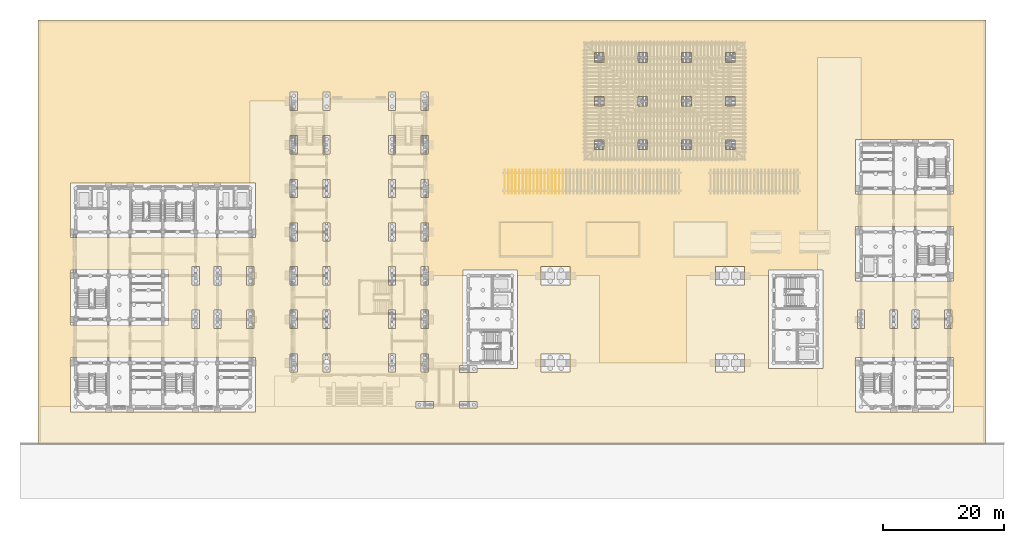
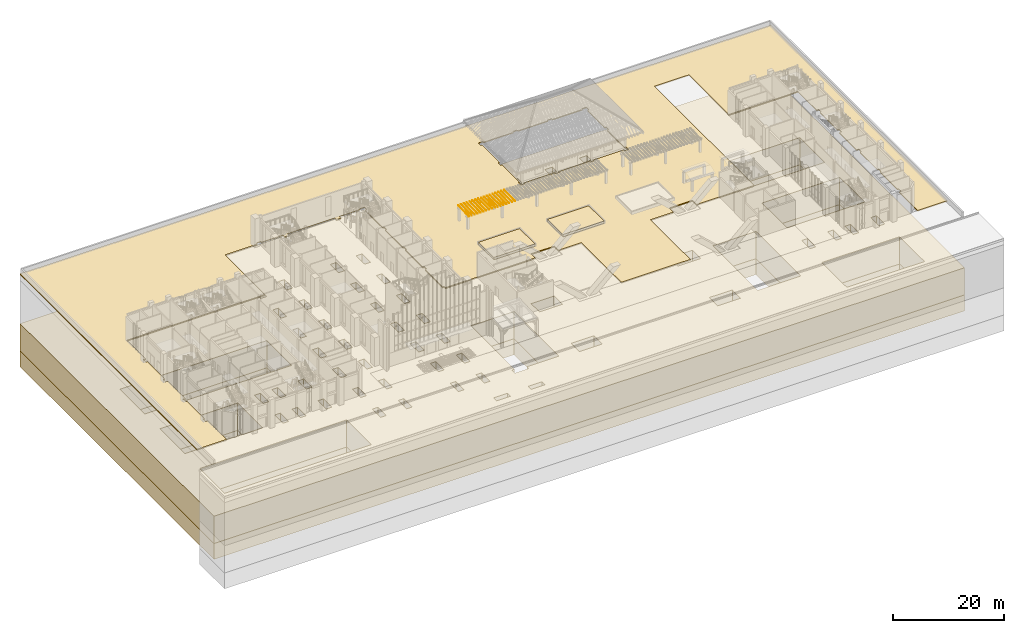
# One storey, part 76 of 84: 22 coverings.
"""IFC4 building model written with IfcOpenShell, lengths in metres."""

from ifc_helpers import new_model, si_unit, direction, frame, origin, origin_2d, place, context, subcontext, project, spatial, polyline, rectangle, outline, extrude, material, layer, layer_set, type_object, element, save


model = new_model("IFC4")

# Units and contexts
model_context = context("Model", 3, precision=1e-05, world=origin(), true_north=direction((0.0, 1.0)))
body_context = subcontext(model_context, "Body", "Model", "MODEL_VIEW")
ifc_project = project(units=[si_unit("LENGTHUNIT", "METRE"), si_unit("AREAUNIT", "SQUARE_METRE"), si_unit("VOLUMEUNIT", "CUBIC_METRE"), si_unit("PLANEANGLEUNIT", "RADIAN"), si_unit("MASSUNIT", "GRAM", prefix="KILO")], contexts=[model_context])

# Site, building, storey
site_placement = place(None, origin())
site = spatial("IfcSite", under=ifc_project, at=site_placement, CompositionType="ELEMENT")
building_placement = place(site_placement, origin())
building = spatial("IfcBuilding", under=site, at=building_placement, Name="Mazhai Court Health Centre", CompositionType="ELEMENT")
storey_placement = place(building_placement, origin())
storey = spatial("IfcBuildingStorey", under=building, at=storey_placement, Name="L00", CompositionType="ELEMENT", Elevation=0.0)

# Coverings
ifc_material_1 = material(Name="Planting bed soil and shrubs")
ifc_layer_1 = layer(ifc_material_1, 0.5)
ifc_layer_set_1 = layer_set([ifc_layer_1], Name="PLANTING BED SOIL 500")
covering_type_1 = type_object("IfcCoveringType", Name="PLANTING BED SOIL 500", PredefinedType="FLOORING", material=ifc_layer_set_1)
covering_1_placement = place(storey_placement, origin())
element("IfcCovering", 1, at=covering_1_placement, inside=storey, type_object=covering_type_1, Name="Planting bed 1", PredefinedType="FLOORING", context=body_context, shape_type="SweptSolid", body=[
    extrude(outline(polyline([(76.215087890625, 31.014892578125), (84.784912109375, 31.014892578125), (84.784912109375, 36.5849609375), (76.215087890625, 36.5849609375), (76.215087890625, 31.014892578125)])), origin(), (0.0, 0.0, 1.0), 0.5),
])
covering_2_placement = place(storey_placement, origin())
element("IfcCovering", 2, at=covering_2_placement, inside=storey, type_object=covering_type_1, Name="Planting bed 2", PredefinedType="FLOORING", context=body_context, shape_type="SweptSolid", body=[
    extrude(outline(polyline([(90.614990234375, 31.014892578125), (99.18505859375, 31.014892578125), (99.18505859375, 36.5849609375), (90.614990234375, 36.5849609375), (90.614990234375, 31.014892578125)])), origin(), (0.0, 0.0, 1.0), 0.5),
])
ifc_material_2 = material(Name="Dense sand")
ifc_layer_2 = layer(ifc_material_2, 3.5)
ifc_layer_set_2 = layer_set([ifc_layer_2], Name="SITE GROUND DENSE SAND")
covering_type_2 = type_object("IfcCoveringType", Name="SITE GROUND DENSE SAND", PredefinedType="FLOORING", material=ifc_layer_set_2)
covering_3_placement = place(storey_placement, frame((0.0, 0.0, -20.5)))
element("IfcCovering", 3, at=covering_3_placement, inside=storey, type_object=covering_type_2, Name="Site dense sand 1", PredefinedType="FLOORING", context=body_context, shape_type="SweptSolid", body=[
    extrude(outline(polyline([(156.39990234375, 70.0), (156.39990234375, 0.0), (0.0, 0.0), (0.0, 70.0), (156.39990234375, 70.0)]), holes=[polyline([(5.300048828125, 5.300048828125), (35.89990234375, 5.300048828125), (35.89990234375, 14.300048828125), (5.300048828125, 14.300048828125), (5.300048828125, 5.300048828125)]), polyline([(29.0, 22.10009765625), (29.0, 19.10009765625), (30.199951171875, 19.10009765625), (30.199951171875, 22.10009765625), (29.0, 22.10009765625)]), polyline([(25.39990234375, 22.10009765625), (25.39990234375, 19.10009765625), (26.60009765625, 19.10009765625), (26.60009765625, 22.10009765625), (25.39990234375, 22.10009765625)]), polyline([(5.300048828125, 28.699951171875), (5.300048828125, 19.699951171875), (21.5, 19.699951171875), (21.5, 28.699951171875), (5.300048828125, 28.699951171875)]), polyline([(29.0, 29.300048828125), (29.0, 26.300048828125), (30.199951171875, 26.300048828125), (30.199951171875, 29.300048828125), (29.0, 29.300048828125)]), polyline([(25.39990234375, 26.300048828125), (26.60009765625, 26.300048828125), (26.60009765625, 29.300048828125), (25.39990234375, 29.300048828125), (25.39990234375, 26.300048828125)]), polyline([(5.300048828125, 34.10009765625), (35.89990234375, 34.10009765625), (35.89990234375, 43.10009765625), (5.300048828125, 43.10009765625), (5.300048828125, 34.10009765625)]), polyline([(57.800048828125, 14.89990234375), (57.800048828125, 11.89990234375), (59.0, 11.89990234375), (59.0, 14.89990234375), (57.800048828125, 14.89990234375)]), polyline([(47.0, 11.89990234375), (48.199951171875, 11.89990234375), (48.199951171875, 14.89990234375), (47.0, 14.89990234375), (47.0, 11.89990234375)]), polyline([(41.60009765625, 14.89990234375), (41.60009765625, 11.89990234375), (42.800048828125, 11.89990234375), (42.800048828125, 14.89990234375), (41.60009765625, 14.89990234375)]), polyline([(34.39990234375, 22.10009765625), (34.39990234375, 19.10009765625), (35.60009765625, 19.10009765625), (35.60009765625, 22.10009765625), (34.39990234375, 22.10009765625)]), polyline([(57.800048828125, 19.10009765625), (59.0, 19.10009765625), (59.0, 22.10009765625), (57.800048828125, 22.10009765625), (57.800048828125, 19.10009765625)]), polyline([(47.0, 22.10009765625), (47.0, 19.10009765625), (48.199951171875, 19.10009765625), (48.199951171875, 22.10009765625), (47.0, 22.10009765625)]), polyline([(41.60009765625, 22.10009765625), (41.60009765625, 19.10009765625), (42.800048828125, 19.10009765625), (42.800048828125, 22.10009765625), (41.60009765625, 22.10009765625)]), polyline([(41.60009765625, 29.300048828125), (41.60009765625, 26.300048828125), (42.800048828125, 26.300048828125), (42.800048828125, 29.300048828125), (41.60009765625, 29.300048828125)]), polyline([(47.0, 29.300048828125), (47.0, 26.300048828125), (48.199951171875, 26.300048828125), (48.199951171875, 29.300048828125), (47.0, 29.300048828125)]), polyline([(34.39990234375, 29.300048828125), (34.39990234375, 26.300048828125), (35.60009765625, 26.300048828125), (35.60009765625, 29.300048828125), (34.39990234375, 29.300048828125)]), polyline([(57.800048828125, 29.300048828125), (57.800048828125, 26.300048828125), (59.0, 26.300048828125), (59.0, 29.300048828125), (57.800048828125, 29.300048828125)]), polyline([(41.60009765625, 33.5), (42.800048828125, 33.5), (42.800048828125, 36.5), (41.60009765625, 36.5), (41.60009765625, 33.5)]), polyline([(47.0, 33.5), (48.199951171875, 33.5), (48.199951171875, 36.5), (47.0, 36.5), (47.0, 33.5)]), polyline([(57.800048828125, 36.5), (57.800048828125, 33.5), (59.0, 33.5), (59.0, 36.5), (57.800048828125, 36.5)]), polyline([(41.60009765625, 43.699951171875), (41.60009765625, 40.699951171875), (42.800048828125, 40.699951171875), (42.800048828125, 43.699951171875), (41.60009765625, 43.699951171875)]), polyline([(47.0, 40.699951171875), (48.199951171875, 40.699951171875), (48.199951171875, 43.699951171875), (47.0, 43.699951171875), (47.0, 40.699951171875)]), polyline([(57.800048828125, 43.699951171875), (57.800048828125, 40.699951171875), (59.0, 40.699951171875), (59.0, 43.699951171875), (57.800048828125, 43.699951171875)]), polyline([(41.60009765625, 50.89990234375), (41.60009765625, 47.89990234375), (42.800048828125, 47.89990234375), (42.800048828125, 50.89990234375), (41.60009765625, 50.89990234375)]), polyline([(57.800048828125, 50.89990234375), (57.800048828125, 47.89990234375), (59.0, 47.89990234375), (59.0, 50.89990234375), (57.800048828125, 50.89990234375)]), polyline([(47.0, 50.89990234375), (47.0, 47.89990234375), (48.199951171875, 47.89990234375), (48.199951171875, 50.89990234375), (47.0, 50.89990234375)]), polyline([(57.800048828125, 58.10009765625), (57.800048828125, 55.10009765625), (59.0, 55.10009765625), (59.0, 58.10009765625), (57.800048828125, 58.10009765625)]), polyline([(47.0, 58.10009765625), (47.0, 55.10009765625), (48.199951171875, 55.10009765625), (48.199951171875, 58.10009765625), (47.0, 58.10009765625)]), polyline([(41.60009765625, 55.10009765625), (42.800048828125, 55.10009765625), (42.800048828125, 58.10009765625), (41.60009765625, 58.10009765625), (41.60009765625, 55.10009765625)]), polyline([(62.35009765625, 7.050048828125), (62.35009765625, 5.949951171875), (65.25, 5.949951171875), (65.25, 7.050048828125), (62.35009765625, 7.050048828125)]), polyline([(69.550048828125, 7.050048828125), (69.550048828125, 5.949951171875), (72.449951171875, 5.949951171875), (72.449951171875, 7.050048828125), (69.550048828125, 7.050048828125)]), polyline([(79.10009765625, 28.699951171875), (70.10009765625, 28.699951171875), (70.10009765625, 12.949951171875), (69.550048828125, 12.949951171875), (69.550048828125, 11.85009765625), (72.449951171875, 11.85009765625), (72.449951171875, 12.5), (79.10009765625, 12.5), (79.10009765625, 28.699951171875)]), polyline([(63.199951171875, 14.89990234375), (63.199951171875, 11.89990234375), (64.39990234375, 11.89990234375), (64.39990234375, 14.89990234375), (63.199951171875, 14.89990234375)]), polyline([(111.800048828125, 14.89990234375), (111.800048828125, 11.89990234375), (116.60009765625, 11.89990234375), (116.60009765625, 14.89990234375), (111.800048828125, 14.89990234375)]), polyline([(83.0, 11.89990234375), (87.800048828125, 11.89990234375), (87.800048828125, 14.89990234375), (83.0, 14.89990234375), (83.0, 11.89990234375)]), polyline([(63.199951171875, 22.10009765625), (63.199951171875, 19.10009765625), (64.39990234375, 19.10009765625), (64.39990234375, 22.10009765625), (63.199951171875, 22.10009765625)]), polyline([(63.199951171875, 29.300048828125), (63.199951171875, 26.300048828125), (64.39990234375, 26.300048828125), (64.39990234375, 29.300048828125), (63.199951171875, 29.300048828125)]), polyline([(111.800048828125, 29.300048828125), (111.800048828125, 26.300048828125), (116.60009765625, 26.300048828125), (116.60009765625, 29.300048828125), (111.800048828125, 29.300048828125)]), polyline([(83.0, 29.300048828125), (83.0, 26.300048828125), (87.800048828125, 26.300048828125), (87.800048828125, 29.300048828125), (83.0, 29.300048828125)]), polyline([(63.199951171875, 36.5), (63.199951171875, 33.5), (64.39990234375, 33.5), (64.39990234375, 36.5), (63.199951171875, 36.5)]), polyline([(63.199951171875, 40.699951171875), (64.39990234375, 40.699951171875), (64.39990234375, 43.699951171875), (63.199951171875, 43.699951171875), (63.199951171875, 40.699951171875)]), polyline([(91.800048828125, 50.199951171875), (91.800048828125, 48.60009765625), (93.39990234375, 48.60009765625), (93.39990234375, 50.199951171875), (91.800048828125, 50.199951171875)]), polyline([(99.0, 50.199951171875), (99.0, 48.60009765625), (100.60009765625, 48.60009765625), (100.60009765625, 50.199951171875), (99.0, 50.199951171875)]), polyline([(106.199951171875, 48.60009765625), (107.800048828125, 48.60009765625), (107.800048828125, 50.199951171875), (106.199951171875, 50.199951171875), (106.199951171875, 48.60009765625)]), polyline([(113.39990234375, 50.199951171875), (113.39990234375, 48.60009765625), (115.0, 48.60009765625), (115.0, 50.199951171875), (113.39990234375, 50.199951171875)]), polyline([(63.199951171875, 50.89990234375), (63.199951171875, 47.89990234375), (64.39990234375, 47.89990234375), (64.39990234375, 50.89990234375), (63.199951171875, 50.89990234375)]), polyline([(91.800048828125, 55.800048828125), (93.39990234375, 55.800048828125), (93.39990234375, 57.39990234375), (91.800048828125, 57.39990234375), (91.800048828125, 55.800048828125)]), polyline([(99.0, 57.39990234375), (99.0, 55.800048828125), (100.60009765625, 55.800048828125), (100.60009765625, 57.39990234375), (99.0, 57.39990234375)]), polyline([(106.199951171875, 57.39990234375), (106.199951171875, 55.800048828125), (107.800048828125, 55.800048828125), (107.800048828125, 57.39990234375), (106.199951171875, 57.39990234375)]), polyline([(113.39990234375, 57.39990234375), (113.39990234375, 55.800048828125), (115.0, 55.800048828125), (115.0, 57.39990234375), (113.39990234375, 57.39990234375)]), polyline([(63.199951171875, 58.10009765625), (63.199951171875, 55.10009765625), (64.39990234375, 55.10009765625), (64.39990234375, 58.10009765625), (63.199951171875, 58.10009765625)]), polyline([(91.800048828125, 64.60009765625), (91.800048828125, 63.0), (93.39990234375, 63.0), (93.39990234375, 64.60009765625), (91.800048828125, 64.60009765625)]), polyline([(99.0, 64.60009765625), (99.0, 63.0), (100.60009765625, 63.0), (100.60009765625, 64.60009765625), (99.0, 64.60009765625)]), polyline([(106.199951171875, 63.0), (107.800048828125, 63.0), (107.800048828125, 64.60009765625), (106.199951171875, 64.60009765625), (106.199951171875, 63.0)]), polyline([(134.89990234375, 14.300048828125), (134.89990234375, 5.300048828125), (151.10009765625, 5.300048828125), (151.10009765625, 14.300048828125), (134.89990234375, 14.300048828125)]), polyline([(129.5, 12.5), (129.5, 28.699951171875), (120.5, 28.699951171875), (120.5, 12.5), (129.5, 12.5)]), polyline([(135.199951171875, 22.10009765625), (135.199951171875, 19.10009765625), (136.39990234375, 19.10009765625), (136.39990234375, 22.10009765625), (135.199951171875, 22.10009765625)]), polyline([(149.60009765625, 22.10009765625), (149.60009765625, 19.10009765625), (150.800048828125, 19.10009765625), (150.800048828125, 22.10009765625), (149.60009765625, 22.10009765625)]), polyline([(140.60009765625, 22.10009765625), (140.60009765625, 19.10009765625), (141.800048828125, 19.10009765625), (141.800048828125, 22.10009765625), (140.60009765625, 22.10009765625)]), polyline([(144.199951171875, 22.10009765625), (144.199951171875, 19.10009765625), (145.39990234375, 19.10009765625), (145.39990234375, 22.10009765625), (144.199951171875, 22.10009765625)]), polyline([(134.89990234375, 35.89990234375), (134.89990234375, 26.89990234375), (151.10009765625, 26.89990234375), (151.10009765625, 35.89990234375), (134.89990234375, 35.89990234375)]), polyline([(134.89990234375, 50.300048828125), (134.89990234375, 41.300048828125), (151.10009765625, 41.300048828125), (151.10009765625, 50.300048828125), (134.89990234375, 50.300048828125)]), polyline([(113.39990234375, 64.60009765625), (113.39990234375, 63.0), (115.0, 63.0), (115.0, 64.60009765625), (113.39990234375, 64.60009765625)])]), origin(), (0.0, 0.0, 1.0), 3.5),
])
ifc_material_3 = material(Name="Medium dense sand")
ifc_layer_3 = layer(ifc_material_3, 6.0)
ifc_layer_set_3 = layer_set([ifc_layer_3], Name="SITE GROUND MEDIUM DENSE SAND")
covering_type_3 = type_object("IfcCoveringType", Name="SITE GROUND MEDIUM DENSE SAND", PredefinedType="FLOORING", material=ifc_layer_set_3)
covering_4_placement = place(storey_placement, frame((0.0, 0.0, -17.0)))
element("IfcCovering", 4, at=covering_4_placement, inside=storey, type_object=covering_type_3, Name="Site medium dense sand 1", PredefinedType="FLOORING", context=body_context, shape_type="SweptSolid", body=[
    extrude(outline(polyline([(156.39990234375, 70.0), (156.39990234375, 0.0), (0.0, 0.0), (0.0, 70.0), (156.39990234375, 70.0)]), holes=[polyline([(5.300048828125, 5.300048828125), (35.89990234375, 5.300048828125), (35.89990234375, 14.300048828125), (5.300048828125, 14.300048828125), (5.300048828125, 5.300048828125)]), polyline([(29.0, 22.10009765625), (29.0, 19.10009765625), (30.199951171875, 19.10009765625), (30.199951171875, 22.10009765625), (29.0, 22.10009765625)]), polyline([(25.39990234375, 22.10009765625), (25.39990234375, 19.10009765625), (26.60009765625, 19.10009765625), (26.60009765625, 22.10009765625), (25.39990234375, 22.10009765625)]), polyline([(5.300048828125, 28.699951171875), (5.300048828125, 19.699951171875), (21.5, 19.699951171875), (21.5, 28.699951171875), (5.300048828125, 28.699951171875)]), polyline([(29.0, 29.300048828125), (29.0, 26.300048828125), (30.199951171875, 26.300048828125), (30.199951171875, 29.300048828125), (29.0, 29.300048828125)]), polyline([(25.39990234375, 26.300048828125), (26.60009765625, 26.300048828125), (26.60009765625, 29.300048828125), (25.39990234375, 29.300048828125), (25.39990234375, 26.300048828125)]), polyline([(5.300048828125, 34.10009765625), (35.89990234375, 34.10009765625), (35.89990234375, 43.10009765625), (5.300048828125, 43.10009765625), (5.300048828125, 34.10009765625)]), polyline([(57.800048828125, 14.89990234375), (57.800048828125, 11.89990234375), (59.0, 11.89990234375), (59.0, 14.89990234375), (57.800048828125, 14.89990234375)]), polyline([(47.0, 11.89990234375), (48.199951171875, 11.89990234375), (48.199951171875, 14.89990234375), (47.0, 14.89990234375), (47.0, 11.89990234375)]), polyline([(41.60009765625, 14.89990234375), (41.60009765625, 11.89990234375), (42.800048828125, 11.89990234375), (42.800048828125, 14.89990234375), (41.60009765625, 14.89990234375)]), polyline([(34.39990234375, 22.10009765625), (34.39990234375, 19.10009765625), (35.60009765625, 19.10009765625), (35.60009765625, 22.10009765625), (34.39990234375, 22.10009765625)]), polyline([(57.800048828125, 19.10009765625), (59.0, 19.10009765625), (59.0, 22.10009765625), (57.800048828125, 22.10009765625), (57.800048828125, 19.10009765625)]), polyline([(47.0, 22.10009765625), (47.0, 19.10009765625), (48.199951171875, 19.10009765625), (48.199951171875, 22.10009765625), (47.0, 22.10009765625)]), polyline([(41.60009765625, 22.10009765625), (41.60009765625, 19.10009765625), (42.800048828125, 19.10009765625), (42.800048828125, 22.10009765625), (41.60009765625, 22.10009765625)]), polyline([(41.60009765625, 29.300048828125), (41.60009765625, 26.300048828125), (42.800048828125, 26.300048828125), (42.800048828125, 29.300048828125), (41.60009765625, 29.300048828125)]), polyline([(47.0, 29.300048828125), (47.0, 26.300048828125), (48.199951171875, 26.300048828125), (48.199951171875, 29.300048828125), (47.0, 29.300048828125)]), polyline([(34.39990234375, 29.300048828125), (34.39990234375, 26.300048828125), (35.60009765625, 26.300048828125), (35.60009765625, 29.300048828125), (34.39990234375, 29.300048828125)]), polyline([(57.800048828125, 29.300048828125), (57.800048828125, 26.300048828125), (59.0, 26.300048828125), (59.0, 29.300048828125), (57.800048828125, 29.300048828125)]), polyline([(41.60009765625, 33.5), (42.800048828125, 33.5), (42.800048828125, 36.5), (41.60009765625, 36.5), (41.60009765625, 33.5)]), polyline([(47.0, 33.5), (48.199951171875, 33.5), (48.199951171875, 36.5), (47.0, 36.5), (47.0, 33.5)]), polyline([(57.800048828125, 36.5), (57.800048828125, 33.5), (59.0, 33.5), (59.0, 36.5), (57.800048828125, 36.5)]), polyline([(41.60009765625, 43.699951171875), (41.60009765625, 40.699951171875), (42.800048828125, 40.699951171875), (42.800048828125, 43.699951171875), (41.60009765625, 43.699951171875)]), polyline([(47.0, 40.699951171875), (48.199951171875, 40.699951171875), (48.199951171875, 43.699951171875), (47.0, 43.699951171875), (47.0, 40.699951171875)]), polyline([(57.800048828125, 43.699951171875), (57.800048828125, 40.699951171875), (59.0, 40.699951171875), (59.0, 43.699951171875), (57.800048828125, 43.699951171875)]), polyline([(41.60009765625, 50.89990234375), (41.60009765625, 47.89990234375), (42.800048828125, 47.89990234375), (42.800048828125, 50.89990234375), (41.60009765625, 50.89990234375)]), polyline([(57.800048828125, 50.89990234375), (57.800048828125, 47.89990234375), (59.0, 47.89990234375), (59.0, 50.89990234375), (57.800048828125, 50.89990234375)]), polyline([(47.0, 50.89990234375), (47.0, 47.89990234375), (48.199951171875, 47.89990234375), (48.199951171875, 50.89990234375), (47.0, 50.89990234375)]), polyline([(57.800048828125, 58.10009765625), (57.800048828125, 55.10009765625), (59.0, 55.10009765625), (59.0, 58.10009765625), (57.800048828125, 58.10009765625)]), polyline([(47.0, 58.10009765625), (47.0, 55.10009765625), (48.199951171875, 55.10009765625), (48.199951171875, 58.10009765625), (47.0, 58.10009765625)]), polyline([(41.60009765625, 55.10009765625), (42.800048828125, 55.10009765625), (42.800048828125, 58.10009765625), (41.60009765625, 58.10009765625), (41.60009765625, 55.10009765625)]), polyline([(62.35009765625, 7.050048828125), (62.35009765625, 5.949951171875), (65.25, 5.949951171875), (65.25, 7.050048828125), (62.35009765625, 7.050048828125)]), polyline([(69.550048828125, 7.050048828125), (69.550048828125, 5.949951171875), (72.449951171875, 5.949951171875), (72.449951171875, 7.050048828125), (69.550048828125, 7.050048828125)]), polyline([(79.10009765625, 28.699951171875), (70.10009765625, 28.699951171875), (70.10009765625, 12.949951171875), (69.550048828125, 12.949951171875), (69.550048828125, 11.85009765625), (72.449951171875, 11.85009765625), (72.449951171875, 12.5), (79.10009765625, 12.5), (79.10009765625, 28.699951171875)]), polyline([(63.199951171875, 14.89990234375), (63.199951171875, 11.89990234375), (64.39990234375, 11.89990234375), (64.39990234375, 14.89990234375), (63.199951171875, 14.89990234375)]), polyline([(111.800048828125, 14.89990234375), (111.800048828125, 11.89990234375), (116.60009765625, 11.89990234375), (116.60009765625, 14.89990234375), (111.800048828125, 14.89990234375)]), polyline([(83.0, 11.89990234375), (87.800048828125, 11.89990234375), (87.800048828125, 14.89990234375), (83.0, 14.89990234375), (83.0, 11.89990234375)]), polyline([(63.199951171875, 22.10009765625), (63.199951171875, 19.10009765625), (64.39990234375, 19.10009765625), (64.39990234375, 22.10009765625), (63.199951171875, 22.10009765625)]), polyline([(63.199951171875, 29.300048828125), (63.199951171875, 26.300048828125), (64.39990234375, 26.300048828125), (64.39990234375, 29.300048828125), (63.199951171875, 29.300048828125)]), polyline([(111.800048828125, 29.300048828125), (111.800048828125, 26.300048828125), (116.60009765625, 26.300048828125), (116.60009765625, 29.300048828125), (111.800048828125, 29.300048828125)]), polyline([(83.0, 29.300048828125), (83.0, 26.300048828125), (87.800048828125, 26.300048828125), (87.800048828125, 29.300048828125), (83.0, 29.300048828125)]), polyline([(63.199951171875, 36.5), (63.199951171875, 33.5), (64.39990234375, 33.5), (64.39990234375, 36.5), (63.199951171875, 36.5)]), polyline([(63.199951171875, 40.699951171875), (64.39990234375, 40.699951171875), (64.39990234375, 43.699951171875), (63.199951171875, 43.699951171875), (63.199951171875, 40.699951171875)]), polyline([(91.800048828125, 50.199951171875), (91.800048828125, 48.60009765625), (93.39990234375, 48.60009765625), (93.39990234375, 50.199951171875), (91.800048828125, 50.199951171875)]), polyline([(99.0, 50.199951171875), (99.0, 48.60009765625), (100.60009765625, 48.60009765625), (100.60009765625, 50.199951171875), (99.0, 50.199951171875)]), polyline([(106.199951171875, 48.60009765625), (107.800048828125, 48.60009765625), (107.800048828125, 50.199951171875), (106.199951171875, 50.199951171875), (106.199951171875, 48.60009765625)]), polyline([(113.39990234375, 50.199951171875), (113.39990234375, 48.60009765625), (115.0, 48.60009765625), (115.0, 50.199951171875), (113.39990234375, 50.199951171875)]), polyline([(63.199951171875, 50.89990234375), (63.199951171875, 47.89990234375), (64.39990234375, 47.89990234375), (64.39990234375, 50.89990234375), (63.199951171875, 50.89990234375)]), polyline([(91.800048828125, 55.800048828125), (93.39990234375, 55.800048828125), (93.39990234375, 57.39990234375), (91.800048828125, 57.39990234375), (91.800048828125, 55.800048828125)]), polyline([(99.0, 57.39990234375), (99.0, 55.800048828125), (100.60009765625, 55.800048828125), (100.60009765625, 57.39990234375), (99.0, 57.39990234375)]), polyline([(106.199951171875, 57.39990234375), (106.199951171875, 55.800048828125), (107.800048828125, 55.800048828125), (107.800048828125, 57.39990234375), (106.199951171875, 57.39990234375)]), polyline([(113.39990234375, 57.39990234375), (113.39990234375, 55.800048828125), (115.0, 55.800048828125), (115.0, 57.39990234375), (113.39990234375, 57.39990234375)]), polyline([(63.199951171875, 58.10009765625), (63.199951171875, 55.10009765625), (64.39990234375, 55.10009765625), (64.39990234375, 58.10009765625), (63.199951171875, 58.10009765625)]), polyline([(91.800048828125, 64.60009765625), (91.800048828125, 63.0), (93.39990234375, 63.0), (93.39990234375, 64.60009765625), (91.800048828125, 64.60009765625)]), polyline([(99.0, 64.60009765625), (99.0, 63.0), (100.60009765625, 63.0), (100.60009765625, 64.60009765625), (99.0, 64.60009765625)]), polyline([(106.199951171875, 63.0), (107.800048828125, 63.0), (107.800048828125, 64.60009765625), (106.199951171875, 64.60009765625), (106.199951171875, 63.0)]), polyline([(134.89990234375, 14.300048828125), (134.89990234375, 5.300048828125), (151.10009765625, 5.300048828125), (151.10009765625, 14.300048828125), (134.89990234375, 14.300048828125)]), polyline([(129.5, 12.5), (129.5, 28.699951171875), (120.5, 28.699951171875), (120.5, 12.5), (129.5, 12.5)]), polyline([(135.199951171875, 22.10009765625), (135.199951171875, 19.10009765625), (136.39990234375, 19.10009765625), (136.39990234375, 22.10009765625), (135.199951171875, 22.10009765625)]), polyline([(149.60009765625, 22.10009765625), (149.60009765625, 19.10009765625), (150.800048828125, 19.10009765625), (150.800048828125, 22.10009765625), (149.60009765625, 22.10009765625)]), polyline([(140.60009765625, 22.10009765625), (140.60009765625, 19.10009765625), (141.800048828125, 19.10009765625), (141.800048828125, 22.10009765625), (140.60009765625, 22.10009765625)]), polyline([(144.199951171875, 22.10009765625), (144.199951171875, 19.10009765625), (145.39990234375, 19.10009765625), (145.39990234375, 22.10009765625), (144.199951171875, 22.10009765625)]), polyline([(134.89990234375, 35.89990234375), (134.89990234375, 26.89990234375), (151.10009765625, 26.89990234375), (151.10009765625, 35.89990234375), (134.89990234375, 35.89990234375)]), polyline([(134.89990234375, 50.300048828125), (134.89990234375, 41.300048828125), (151.10009765625, 41.300048828125), (151.10009765625, 50.300048828125), (134.89990234375, 50.300048828125)]), polyline([(113.39990234375, 64.60009765625), (113.39990234375, 63.0), (115.0, 63.0), (115.0, 64.60009765625), (113.39990234375, 64.60009765625)])]), origin(), (0.0, 0.0, 1.0), 6.0),
])
ifc_material_4 = material(Name="Planted topsoil and lawn")
ifc_layer_4 = layer(ifc_material_4, 0.199951171875)
ifc_layer_set_4 = layer_set([ifc_layer_4], Name="SITE GROUND PLANTED SOIL 200")
covering_type_4 = type_object("IfcCoveringType", Name="SITE GROUND PLANTED SOIL 200", PredefinedType="FLOORING", material=ifc_layer_set_4)
covering_5_placement = place(storey_placement, frame((0.0, 0.0, -0.199951171875)))
element("IfcCovering", 5, at=covering_5_placement, inside=storey, type_object=covering_type_4, Name="Site ground 1", PredefinedType="FLOORING", context=body_context, shape_type="SweptSolid", body=[
    extrude(outline(polyline([(0.0, 70.0), (156.39990234375, 70.0), (156.39990234375, 6.199951171875), (150.199951171875, 6.199951171875), (150.199951171875, 12.949951171875), (150.64990234375, 12.949951171875), (150.64990234375, 13.85009765625), (150.364990234375, 13.85009765625), (150.364990234375, 20.14990234375), (150.64990234375, 20.14990234375), (150.64990234375, 21.050048828125), (150.364990234375, 21.050048828125), (150.364990234375, 27.35009765625), (150.64990234375, 27.35009765625), (150.64990234375, 28.25), (150.199951171875, 28.25), (150.199951171875, 34.550048828125), (150.64990234375, 34.550048828125), (150.64990234375, 35.449951171875), (150.364990234375, 35.449951171875), (150.364990234375, 41.75), (150.64990234375, 41.75), (150.64990234375, 42.64990234375), (150.199951171875, 42.64990234375), (150.199951171875, 49.39990234375), (135.800048828125, 49.39990234375), (135.800048828125, 63.800048828125), (128.60009765625, 63.800048828125), (128.60009765625, 27.800048828125), (116.60009765625, 27.800048828125), (116.60009765625, 29.300048828125), (111.800048828125, 29.300048828125), (111.800048828125, 27.800048828125), (107.0, 27.800048828125), (107.0, 13.39990234375), (92.60009765625, 13.39990234375), (92.60009765625, 27.800048828125), (87.800048828125, 27.800048828125), (87.800048828125, 29.300048828125), (83.0, 29.300048828125), (83.0, 27.800048828125), (64.25, 27.800048828125), (64.25, 28.25), (63.965087890625, 28.25), (63.965087890625, 34.550048828125), (64.25, 34.550048828125), (64.25, 35.449951171875), (63.965087890625, 35.449951171875), (63.965087890625, 41.75), (64.25, 41.75), (64.25, 42.64990234375), (63.965087890625, 42.64990234375), (63.965087890625, 48.949951171875), (64.25, 48.949951171875), (64.25, 49.85009765625), (63.965087890625, 49.85009765625), (63.965087890625, 56.14990234375), (64.25, 56.14990234375), (64.25, 57.050048828125), (63.35009765625, 57.050048828125), (63.35009765625, 56.764892578125), (58.85009765625, 56.764892578125), (58.85009765625, 56.14990234375), (57.949951171875, 56.14990234375), (57.949951171875, 56.764892578125), (48.050048828125, 56.764892578125), (48.050048828125, 56.14990234375), (47.14990234375, 56.14990234375), (47.14990234375, 56.764892578125), (42.64990234375, 56.764892578125), (42.64990234375, 57.050048828125), (41.75, 57.050048828125), (41.75, 56.60009765625), (35.0, 56.60009765625), (35.0, 42.199951171875), (6.199951171875, 42.199951171875), (6.199951171875, 35.449951171875), (5.75, 35.449951171875), (5.75, 34.550048828125), (6.034912109375, 34.550048828125), (6.034912109375, 28.25), (5.75, 28.25), (5.75, 27.35009765625), (6.199951171875, 27.35009765625), (6.199951171875, 21.050048828125), (5.75, 21.050048828125), (5.75, 20.14990234375), (6.034912109375, 20.14990234375), (6.034912109375, 13.85009765625), (5.75, 13.85009765625), (5.75, 12.949951171875), (6.199951171875, 12.949951171875), (6.199951171875, 6.199951171875), (0.0, 6.199951171875), (0.0, 70.0)]), holes=[polyline([(113.75, 49.235107421875), (113.75, 48.949951171875), (114.64990234375, 48.949951171875), (114.64990234375, 49.85009765625), (114.364990234375, 49.85009765625), (114.364990234375, 56.14990234375), (114.64990234375, 56.14990234375), (114.64990234375, 57.050048828125), (114.364990234375, 57.050048828125), (114.364990234375, 63.35009765625), (114.64990234375, 63.35009765625), (114.64990234375, 64.25), (113.75, 64.25), (113.75, 63.965087890625), (107.449951171875, 63.965087890625), (107.449951171875, 64.25), (106.550048828125, 64.25), (106.550048828125, 63.965087890625), (100.25, 63.965087890625), (100.25, 64.25), (99.35009765625, 64.25), (99.35009765625, 63.965087890625), (93.050048828125, 63.965087890625), (93.050048828125, 64.25), (92.14990234375, 64.25), (92.14990234375, 63.35009765625), (92.43505859375, 63.35009765625), (92.43505859375, 57.050048828125), (92.14990234375, 57.050048828125), (92.14990234375, 56.14990234375), (92.43505859375, 56.14990234375), (92.43505859375, 49.85009765625), (92.14990234375, 49.85009765625), (92.14990234375, 48.949951171875), (93.050048828125, 48.949951171875), (93.050048828125, 49.235107421875), (99.35009765625, 49.235107421875), (99.35009765625, 48.949951171875), (100.25, 48.949951171875), (100.25, 49.235107421875), (106.550048828125, 49.235107421875), (106.550048828125, 48.949951171875), (107.449951171875, 48.949951171875), (107.449951171875, 49.235107421875), (113.75, 49.235107421875)])]), origin(), (0.0, 0.0, 1.0), 0.199951171875),
])
ifc_material_5 = material(Name="Teak timber", Category="wood")
ifc_layer_5 = layer(ifc_material_5, 0.06005859375)
ifc_layer_set_5 = layer_set([ifc_layer_5], Name="TEAK PERGOLA SLAT 60x120")
covering_type_5 = type_object("IfcCoveringType", Name="TEAK PERGOLA SLAT 60x120", PredefinedType="CLADDING", material=ifc_layer_set_5)
for number, where, z_axis, x_axis, name in (
    (6, (77.0, 43.300048828125, 3.0), (0.0, 0.0, 1.0), (1.0, 0.0, 0.0), "Pergola slat A0"),
    (7, (77.60009765625, 43.300048828125, 3.0), (0.0, 0.0, 1.0), (1.0, 0.0, 0.0), "Pergola slat A1"),
    (8, (78.199951171875, 43.300048828125, 3.0), (0.0, 0.0, 1.0), (1.0, 0.0, 0.0), "Pergola slat A2"),
    (9, (78.800048828125, 43.300048828125, 3.0), (0.0, 0.0, 1.0), (1.0, 0.0, 0.0), "Pergola slat A3"),
    (10, (79.39990234375, 43.300048828125, 3.0), (0.0, 0.0, 1.0), (1.0, 0.0, 0.0), "Pergola slat A4"),
    (11, (80.0, 43.300048828125, 3.0), (0.0, 0.0, 1.0), (1.0, 0.0, 0.0), "Pergola slat A5"),
    (12, (80.60009765625, 43.300048828125, 3.0), (0.0, 0.0, 1.0), (1.0, 0.0, 0.0), "Pergola slat A6"),
    (13, (81.199951171875, 43.300048828125, 3.0), (0.0, 0.0, 1.0), (1.0, 0.0, 0.0), "Pergola slat A7"),
    (14, (81.800048828125, 43.300048828125, 3.0), (0.0, 0.0, 1.0), (1.0, 0.0, 0.0), "Pergola slat A8"),
    (15, (82.39990234375, 43.300048828125, 3.0), (0.0, 0.0, 1.0), (1.0, 0.0, 0.0), "Pergola slat A9"),
    (16, (83.0, 43.300048828125, 3.0), (0.0, 0.0, 1.0), (1.0, 0.0, 0.0), "Pergola slat A10"),
    (17, (83.60009765625, 43.300048828125, 3.0), (0.0, 0.0, 1.0), (1.0, 0.0, 0.0), "Pergola slat A11"),
    (18, (84.199951171875, 43.300048828125, 3.0), (0.0, 0.0, 1.0), (1.0, 0.0, 0.0), "Pergola slat A12"),
    (19, (84.800048828125, 43.300048828125, 3.0), (0.0, 0.0, 1.0), (1.0, 0.0, 0.0), "Pergola slat A13"),
    (20, (85.39990234375, 43.300048828125, 3.0), (0.0, 0.0, 1.0), (1.0, 0.0, 0.0), "Pergola slat A14"),
    (21, (86.0, 43.300048828125, 3.0), (0.0, 0.0, 1.0), (1.0, 0.0, 0.0), "Pergola slat A15"),
    (22, (86.60009765625, 43.300048828125, 3.0), (0.0, 0.0, 1.0), (1.0, 0.0, 0.0), "Pergola slat A16"),
):
    element("IfcCovering", number, at=place(storey_placement, frame(where, z_axis=z_axis, x_axis=x_axis)), inside=storey, type_object=covering_type_5, Name=name, PredefinedType="CLADDING", context=body_context, shape_type="SweptSolid", body=[
        extrude(rectangle(XDim=0.06005859375, YDim=3.89990234375, at=origin_2d()), origin(), (0.0, 0.0, 1.0), 0.1201171875),
    ])

save(model, "model.ifc")
